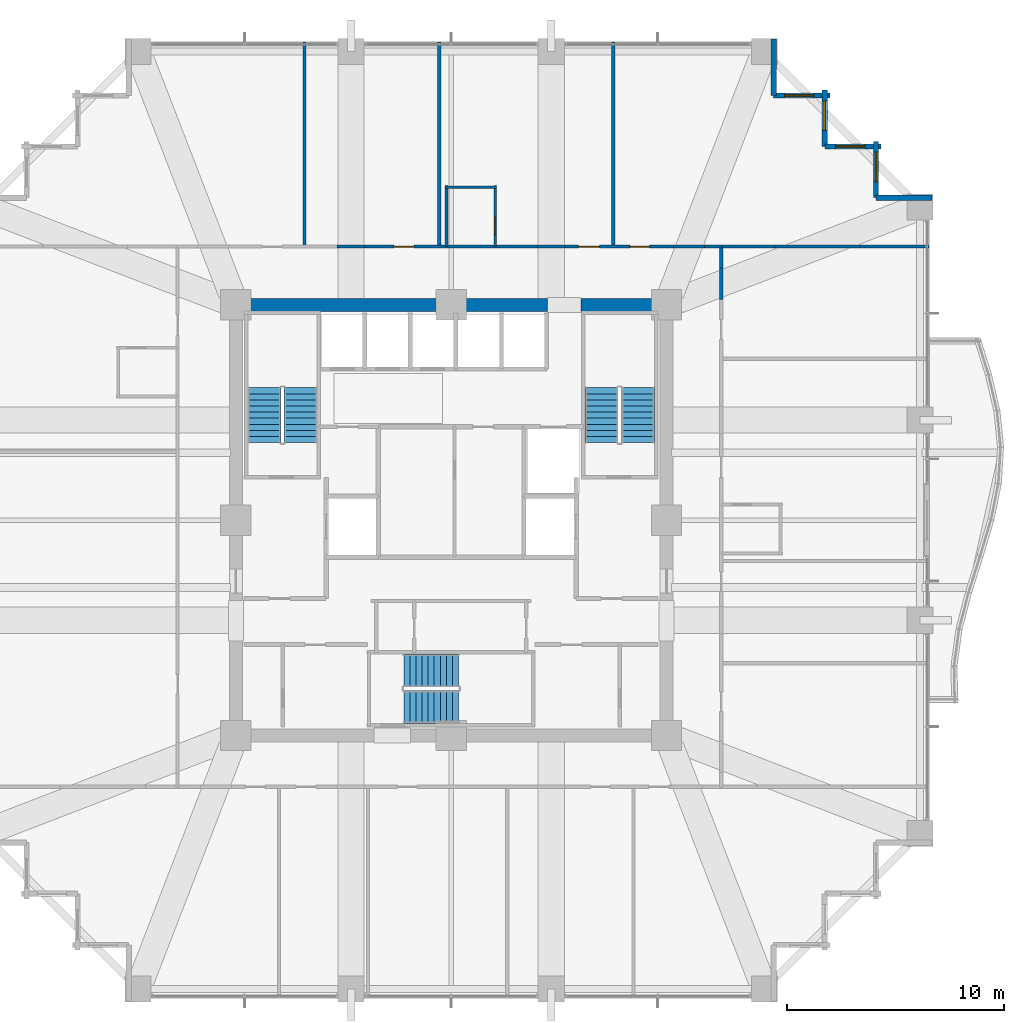
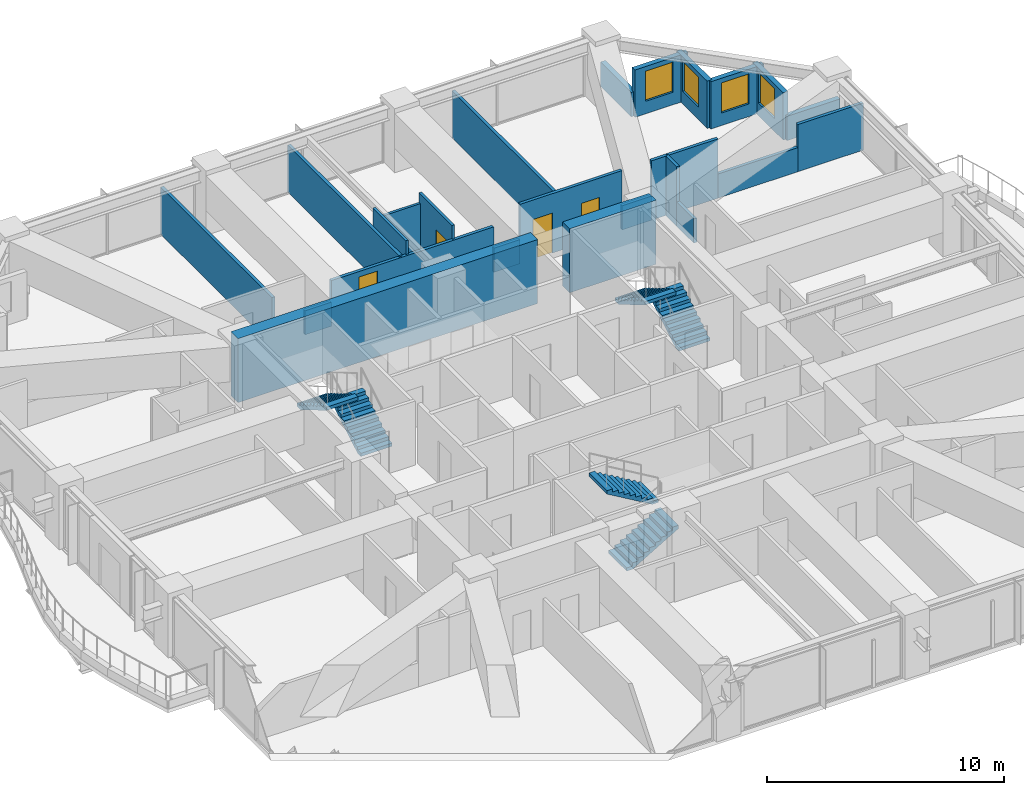
# One storey, part 37 of 39: 25 walls, 6 stair flights, 4 doors, 4 windows, 8 openings, 3 elements without a shape of their own.
"""IFC4 building model written with IfcOpenShell, lengths in metres."""

from ifc_helpers import new_model, si_unit, direction, frame, frame_2d, origin, place, context, subcontext, project, spatial, polyline, rectangle, outline, extrude, material, layer, layer_set, type_object, element, fill, aggregate, save


model = new_model("IFC4")

# Units and contexts
model_context = context("Model", 3, precision=1e-05, world=origin(), true_north=direction((0.0, 1.0)))
body_context = subcontext(model_context, "Body", "Model", "MODEL_VIEW")
ifc_project = project(units=[si_unit("LENGTHUNIT", "METRE"), si_unit("AREAUNIT", "SQUARE_METRE"), si_unit("VOLUMEUNIT", "CUBIC_METRE"), si_unit("PLANEANGLEUNIT", "RADIAN"), si_unit("MASSUNIT", "GRAM", prefix="KILO")], contexts=[model_context])

# Site, building, storey
site_placement = place(None, origin())
site = spatial("IfcSite", under=ifc_project, at=site_placement, CompositionType="ELEMENT")
building_placement = place(site_placement, origin())
building = spatial("IfcBuilding", under=site, at=building_placement, Name="Kolvaren Belvedere", CompositionType="ELEMENT")
storey_placement = place(building_placement, frame((0.0, 0.0, 40.300048828125)))
storey = spatial("IfcBuildingStorey", under=building, at=storey_placement, Name="L11", CompositionType="ELEMENT", Elevation=40.300048828125)

# Walls
ifc_material_1 = material(Name="Concrete C60/75", Category="concrete")
ifc_layer_1 = layer(ifc_material_1, 0.60009765625)
ifc_layer_set_1 = layer_set([ifc_layer_1], Name="Concrete C60/75")
wall_type_1 = type_object("IfcWallType", Name="CW-CORE-600", PredefinedType="SHEAR", material=ifc_layer_set_1)
wall_1_placement = place(storey_placement, frame((-10.199951171875, 9.89990234375, 0.0), z_axis=(0.0, 0.0, 1.0), x_axis=(1.0, 0.0, 0.0)))
element("IfcWall", 1, at=wall_1_placement, inside=storey, type_object=wall_type_1, Name="L11 North Core Shear Wall 1", PredefinedType="SHEAR", context=body_context, shape_type="SweptSolid", body=[
    extrude(rectangle(XDim=14.619873046875, YDim=0.60009765625, at=frame_2d((7.31005859375, 0.0))), origin(), (0.0, 0.0, 1.0), 3.300048828125),
])
wall_2_placement = place(storey_placement, frame((5.97998046875, 9.89990234375, 0.0), z_axis=(0.0, 0.0, 1.0), x_axis=(1.0, 0.0, 0.0)))
element("IfcWall", 2, at=wall_2_placement, inside=storey, type_object=wall_type_1, Name="L11 North Core Shear Wall 2", PredefinedType="SHEAR", context=body_context, shape_type="SweptSolid", body=[
    extrude(rectangle(XDim=4.219970703125, YDim=0.60009765625, at=frame_2d((2.10986328125, 0.0))), origin(), (0.0, 0.0, 1.0), 3.300048828125),
])
ifc_material_2 = material(Name="Gypsum fire-rated partition assembly", Category="gypsum")
ifc_layer_2 = layer(ifc_material_2, 0.14990234375)
ifc_layer_set_2 = layer_set([ifc_layer_2], Name="Gypsum fire-rated partition assembly")
wall_type_2 = type_object("IfcWallType", Name="WL-CORR-150", PredefinedType="PARTITIONING", material=ifc_layer_set_2)
wall_3_placement = place(storey_placement, frame((-5.241943359375, 12.580078125, 0.0), z_axis=(0.0, 0.0, 1.0), x_axis=(1.0, 0.0, 0.0)))
element("IfcWall", 3, at=wall_3_placement, inside=storey, type_object=wall_type_2, Name="L11 North Corridor Wall", PredefinedType="PARTITIONING", context=body_context, shape_type="SweptSolid", body=[
    extrude(rectangle(XDim=1.283935546875, YDim=0.14990234375, at=frame_2d((0.64208984375, 0.0))), origin(), (0.0, 0.0, 1.0), 1.244873046875),
])

# Wall, opening, door
wall_4_placement = place(storey_placement, frame((-3.9580078125, 12.580078125, 0.0), z_axis=(0.0, 0.0, 1.0), x_axis=(1.0, 0.0, 0.0)))
wall_4 = element("IfcWall", 4, at=wall_4_placement, inside=storey, type_object=wall_type_2, Name="L11 North Corridor Wall", PredefinedType="PARTITIONING", context=body_context, shape_type="SweptSolid", body=[
    extrude(rectangle(XDim=7.916015625, YDim=0.14990234375, at=frame_2d((3.9580078125, 0.0))), origin(), (0.0, 0.0, 1.0), 2.348876953125),
])
opening_1_placement = place(wall_4_placement, frame((1.337890625, 0.0, 0.0)))
opening_1 = element("IfcOpeningElement", 5, at=opening_1_placement, cuts=wall_4, Name="Opening D-INT90", PredefinedType="OPENING", context=body_context, shape_type="SweptSolid", body=[
    extrude(rectangle(XDim=0.89990234375, YDim=2.06005859375, at=frame_2d((0.449951171875, 1.030029296875))), frame((0.0, 0.0849609375, 0.0), z_axis=(0.0, -1.0, 0.0), x_axis=(1.0, 0.0, 0.0)), (0.0, 0.0, 1.0), 0.169921875),
])
ifc_material_3 = material(Name="Stained Pacific white oak", Category="timber")
door_type_1 = type_object("IfcDoorType", Name="DR-INT-900", OperationType="NOTDEFINED", PredefinedType="DOOR", material=ifc_material_3)
door_1_placement = place(opening_1_placement, origin())
door_1 = element("IfcDoor", 6, at=door_1_placement, inside=storey, type_object=door_type_1, Name="L11 Lounge 1113 Door", OperationType="SINGLE_SWING_LEFT", OverallHeight=2.06005859375, OverallWidth=0.89990234375, PredefinedType="DOOR", context=body_context, shape_type="SweptSolid", body=[
    extrude(rectangle(XDim=0.89990234375, YDim=2.06005859375, at=frame_2d((0.449951171875, 1.030029296875))), frame((0.0, 0.02490234375, 0.0), z_axis=(0.0, -1.0, 0.0), x_axis=(1.0, 0.0, 0.0)), (0.0, 0.0, 1.0), 0.050048828125),
])
fill(opening_1, door_1)

# Wall
wall_5_placement = place(storey_placement, frame((3.9580078125, 12.580078125, 0.0), z_axis=(0.0, 0.0, 1.0), x_axis=(1.0, 0.0, 0.0)))
element("IfcWall", 7, at=wall_5_placement, inside=storey, type_object=wall_type_2, Name="L11 North Corridor Wall", PredefinedType="PARTITIONING", context=body_context, shape_type="SweptSolid", body=[
    extrude(rectangle(XDim=1.283935546875, YDim=0.14990234375, at=frame_2d((0.64208984375, 0.0))), origin(), (0.0, 0.0, 1.0), 1.244873046875),
])

# Wall, openings, doors
wall_6_placement = place(storey_placement, frame((5.241943359375, 12.580078125, 0.0), z_axis=(0.0, 0.0, 1.0), x_axis=(1.0, 0.0, 0.0)))
wall_6 = element("IfcWall", 8, at=wall_6_placement, inside=storey, type_object=wall_type_2, Name="L11 North Corridor Wall", PredefinedType="PARTITIONING", context=body_context, shape_type="SweptSolid", body=[
    extrude(rectangle(XDim=4.9736328125, YDim=0.14990234375, at=frame_2d((2.48681640625, 0.0))), origin(), (0.0, 0.0, 1.0), 3.06005859375),
])
opening_2_placement = place(wall_6_placement, frame((0.618896484375, 0.0, 0.0)))
opening_2 = element("IfcOpeningElement", 9, at=opening_2_placement, cuts=wall_6, Name="Opening D-FD60", PredefinedType="OPENING", context=body_context, shape_type="SweptSolid", body=[
    extrude(rectangle(XDim=0.949951171875, YDim=2.06005859375, at=frame_2d((0.47509765625, 1.030029296875))), frame((0.0, 0.0849609375, 0.0), z_axis=(0.0, -1.0, 0.0), x_axis=(1.0, 0.0, 0.0)), (0.0, 0.0, 1.0), 0.169921875),
])
opening_3_placement = place(wall_6_placement, frame((2.97900390625, 0.0, 0.0)))
opening_3 = element("IfcOpeningElement", 10, at=opening_3_placement, cuts=wall_6, Name="Opening D-INT90", PredefinedType="OPENING", context=body_context, shape_type="SweptSolid", body=[
    extrude(rectangle(XDim=0.89990234375, YDim=2.06005859375, at=frame_2d((0.449951171875, 1.030029296875))), frame((0.0, 0.0849609375, 0.0), z_axis=(0.0, -1.0, 0.0), x_axis=(1.0, 0.0, 0.0)), (0.0, 0.0, 1.0), 0.169921875),
])
ifc_material_4 = material(Name="Acoustic white-oak fire door leaf", Category="timber")
door_type_2 = type_object("IfcDoorType", Name="DR-FD60-950", OperationType="NOTDEFINED", PredefinedType="DOOR", material=ifc_material_4)
door_2_placement = place(opening_2_placement, origin())
door_2 = element("IfcDoor", 11, at=door_2_placement, inside=storey, type_object=door_type_2, Name="L11 King Guest Room 1114 Entry Door", OperationType="SINGLE_SWING_LEFT", OverallHeight=2.06005859375, OverallWidth=0.949951171875, PredefinedType="DOOR", context=body_context, shape_type="SweptSolid", body=[
    extrude(rectangle(XDim=0.949951171875, YDim=2.06005859375, at=frame_2d((0.47509765625, 1.030029296875))), frame((0.0, 0.02490234375, 0.0), z_axis=(0.0, -1.0, 0.0), x_axis=(1.0, 0.0, 0.0)), (0.0, 0.0, 1.0), 0.050048828125),
])
fill(opening_2, door_2)
door_3_placement = place(opening_3_placement, origin())
door_3 = element("IfcDoor", 12, at=door_3_placement, inside=storey, type_object=door_type_1, Name="L11 Lounge 1115 Door", OperationType="SINGLE_SWING_RIGHT", OverallHeight=2.06005859375, OverallWidth=0.89990234375, PredefinedType="DOOR", context=body_context, shape_type="SweptSolid", body=[
    extrude(rectangle(XDim=0.89990234375, YDim=2.06005859375, at=frame_2d((0.449951171875, 1.030029296875))), frame((0.0, 0.02490234375, 0.0), z_axis=(0.0, -1.0, 0.0), x_axis=(1.0, 0.0, 0.0)), (0.0, 0.0, 1.0), 0.050048828125),
])
fill(opening_3, door_3)

# Walls
wall_7_placement = place(storey_placement, frame((10.215576171875, 12.580078125, 0.0), z_axis=(0.0, 0.0, 1.0), x_axis=(1.0, 0.0, 0.0)))
element("IfcWall", 13, at=wall_7_placement, inside=storey, type_object=wall_type_2, Name="L11 North Corridor Wall", PredefinedType="PARTITIONING", context=body_context, shape_type="SweptSolid", body=[
    extrude(rectangle(XDim=1.439208984375, YDim=0.14990234375, at=frame_2d((0.7197265625, 0.0))), origin(), (0.0, 0.0, 1.0), 1.244873046875),
])
wall_8_placement = place(storey_placement, frame((11.65478515625, 12.580078125, 0.0), z_axis=(0.0, 0.0, 1.0), x_axis=(1.0, 0.0, 0.0)))
element("IfcWall", 14, at=wall_8_placement, inside=storey, type_object=wall_type_2, Name="L11 North Corridor Wall", PredefinedType="PARTITIONING", context=body_context, shape_type="SweptSolid", body=[
    extrude(rectangle(XDim=0.76513671875, YDim=0.14990234375, at=frame_2d((0.382568359375, 0.0))), origin(), (0.0, 0.0, 1.0), 3.06005859375),
])
wall_9_placement = place(storey_placement, frame((12.419921875, 10.15380859375, 0.0), z_axis=(0.0, 0.0, 1.0), x_axis=(0.0, 1.0, 0.0)))
element("IfcWall", 15, at=wall_9_placement, inside=storey, type_object=wall_type_2, Name="L11 East Corridor Wall", PredefinedType="PARTITIONING", context=body_context, shape_type="SweptSolid", body=[
    extrude(rectangle(XDim=1.439208984375, YDim=0.14990234375, at=frame_2d((0.7197265625, 0.0))), origin(), (0.0, 0.0, 1.0), 1.244873046875),
])
wall_10_placement = place(storey_placement, frame((12.419921875, 11.593017578125, 0.0), z_axis=(0.0, 0.0, 1.0), x_axis=(0.0, 1.0, 0.0)))
element("IfcWall", 16, at=wall_10_placement, inside=storey, type_object=wall_type_2, Name="L11 East Corridor Wall", PredefinedType="PARTITIONING", context=body_context, shape_type="SweptSolid", body=[
    extrude(rectangle(XDim=0.987060546875, YDim=0.14990234375, at=frame_2d((0.49365234375, 0.0))), origin(), (0.0, 0.0, 1.0), 3.06005859375),
])
ifc_material_5 = material(Name="Insulated pale-metal facade wall assembly", Category="aluminium")
ifc_layer_3 = layer(ifc_material_5, 0.239990234375)
ifc_layer_set_3 = layer_set([ifc_layer_3], Name="Insulated pale-metal facade wall assembly")
wall_type_3 = type_object("IfcWallType", Name="WL-EXT-240", PredefinedType="STANDARD", material=ifc_layer_set_3)
wall_11_placement = place(storey_placement, frame((19.530029296875, 14.830078125, 0.0), z_axis=(0.0, 0.0, 1.0), x_axis=(1.0, 0.0, 0.0)))
element("IfcWall", 17, at=wall_11_placement, inside=storey, type_object=wall_type_3, Name="L11 Serrated Corner Facade Wall 9", PredefinedType="STANDARD", context=body_context, shape_type="SweptSolid", body=[
    extrude(rectangle(XDim=2.590087890625, YDim=0.239990234375, at=frame_2d((1.294921875, 0.0))), origin(), (0.0, 0.0, 1.0), 1.2548828125),
])

# Wall, opening, window
wall_12_placement = place(storey_placement, frame((19.530029296875, 17.419921875, 0.0), z_axis=(0.0, 0.0, 1.0), x_axis=(0.0, -1.0, 0.0)))
wall_12 = element("IfcWall", 18, at=wall_12_placement, inside=storey, type_object=wall_type_3, Name="L11 Serrated Corner Facade Wall 10", PredefinedType="STANDARD", context=body_context, shape_type="SweptSolid", body=[
    extrude(rectangle(XDim=2.58984375, YDim=0.239990234375, at=frame_2d((1.294921875, 0.0))), origin(), (0.0, 0.0, 1.0), 2.43896484375),
])
opening_4_placement = place(wall_12_placement, frame((0.5, 0.0, 0.64990234375)))
opening_4 = element("IfcOpeningElement", 19, at=opening_4_placement, cuts=wall_12, Name="Opening W-1350", PredefinedType="OPENING", context=body_context, shape_type="SweptSolid", body=[
    extrude(rectangle(XDim=1.35009765625, YDim=1.550048828125, at=frame_2d((0.675048828125, 0.77490234375))), frame((0.0, 0.1298828125, 0.0), z_axis=(0.0, -1.0, 0.0), x_axis=(1.0, 0.0, 0.0)), (0.0, 0.0, 1.0), 0.260009765625),
])
ifc_material_6 = material(Name="Low-iron triple insulated glass", Category="glass")
window_type = type_object("IfcWindowType", Name="WN-CORN-1350", PartitioningType="SINGLE_PANEL", PredefinedType="WINDOW", material=ifc_material_6)
window_1_placement = place(opening_4_placement, origin())
window_1 = element("IfcWindow", 20, at=window_1_placement, inside=storey, type_object=window_type, Name="L11 Serrated Corner Vision Window 10", OverallHeight=1.550048828125, OverallWidth=1.35009765625, PartitioningType="SINGLE_PANEL", PredefinedType="WINDOW", context=body_context, shape_type="SweptSolid", body=[
    extrude(rectangle(XDim=1.35009765625, YDim=1.550048828125, at=frame_2d((0.675048828125, 0.77490234375))), frame((0.0, 0.030029296875, 0.0), z_axis=(0.0, -1.0, 0.0), x_axis=(1.0, 0.0, 0.0)), (0.0, 0.0, 1.0), 0.06005859375),
])
fill(opening_4, window_1)

wall_13_placement = place(storey_placement, frame((17.179931640625, 17.179931640625, 0.0), z_axis=(0.0, 0.0, 1.0), x_axis=(1.0, 0.0, 0.0)))
wall_13 = element("IfcWall", 21, at=wall_13_placement, inside=storey, type_object=wall_type_3, Name="L11 Serrated Corner Facade Wall 11", PredefinedType="STANDARD", context=body_context, shape_type="SweptSolid", body=[
    extrude(rectangle(XDim=2.590087890625, YDim=0.239990234375, at=frame_2d((1.294921875, 0.0))), origin(), (0.0, 0.0, 1.0), 2.43896484375),
])
opening_5_placement = place(wall_13_placement, frame((0.5, 0.0, 0.64990234375)))
opening_5 = element("IfcOpeningElement", 22, at=opening_5_placement, cuts=wall_13, Name="Opening W-1350", PredefinedType="OPENING", context=body_context, shape_type="SweptSolid", body=[
    extrude(rectangle(XDim=1.35009765625, YDim=1.550048828125, at=frame_2d((0.675048828125, 0.77490234375))), frame((0.0, 0.1298828125, 0.0), z_axis=(0.0, -1.0, 0.0), x_axis=(1.0, 0.0, 0.0)), (0.0, 0.0, 1.0), 0.260009765625),
])
window_2_placement = place(opening_5_placement, origin())
window_2 = element("IfcWindow", 23, at=window_2_placement, inside=storey, type_object=window_type, Name="L11 Serrated Corner Vision Window 11", OverallHeight=1.550048828125, OverallWidth=1.35009765625, PartitioningType="SINGLE_PANEL", PredefinedType="WINDOW", context=body_context, shape_type="SweptSolid", body=[
    extrude(rectangle(XDim=1.35009765625, YDim=1.550048828125, at=frame_2d((0.675048828125, 0.77490234375))), frame((0.0, 0.030029296875, 0.0), z_axis=(0.0, -1.0, 0.0), x_axis=(1.0, 0.0, 0.0)), (0.0, 0.0, 1.0), 0.06005859375),
])
fill(opening_5, window_2)

wall_14_placement = place(storey_placement, frame((17.179931640625, 19.77001953125, 0.0), z_axis=(0.0, 0.0, 1.0), x_axis=(0.0, -1.0, 0.0)))
wall_14 = element("IfcWall", 24, at=wall_14_placement, inside=storey, type_object=wall_type_3, Name="L11 Serrated Corner Facade Wall 12", PredefinedType="STANDARD", context=body_context, shape_type="SweptSolid", body=[
    extrude(rectangle(XDim=2.590087890625, YDim=0.239990234375, at=frame_2d((1.294921875, 0.0))), origin(), (0.0, 0.0, 1.0), 2.43896484375),
])
opening_6_placement = place(wall_14_placement, frame((0.5, 0.0, 0.64990234375)))
opening_6 = element("IfcOpeningElement", 25, at=opening_6_placement, cuts=wall_14, Name="Opening W-1350", PredefinedType="OPENING", context=body_context, shape_type="SweptSolid", body=[
    extrude(rectangle(XDim=1.35009765625, YDim=1.550048828125, at=frame_2d((0.675048828125, 0.77490234375))), frame((0.0, 0.1298828125, 0.0), z_axis=(0.0, -1.0, 0.0), x_axis=(1.0, 0.0, 0.0)), (0.0, 0.0, 1.0), 0.260009765625),
])
window_3_placement = place(opening_6_placement, origin())
window_3 = element("IfcWindow", 26, at=window_3_placement, inside=storey, type_object=window_type, Name="L11 Serrated Corner Vision Window 12", OverallHeight=1.550048828125, OverallWidth=1.35009765625, PartitioningType="SINGLE_PANEL", PredefinedType="WINDOW", context=body_context, shape_type="SweptSolid", body=[
    extrude(rectangle(XDim=1.35009765625, YDim=1.550048828125, at=frame_2d((0.675048828125, 0.77490234375))), frame((0.0, 0.030029296875, 0.0), z_axis=(0.0, -1.0, 0.0), x_axis=(1.0, 0.0, 0.0)), (0.0, 0.0, 1.0), 0.06005859375),
])
fill(opening_6, window_3)

wall_15_placement = place(storey_placement, frame((14.830078125, 19.530029296875, 0.0), z_axis=(0.0, 0.0, 1.0), x_axis=(1.0, 0.0, 0.0)))
wall_15 = element("IfcWall", 27, at=wall_15_placement, inside=storey, type_object=wall_type_3, Name="L11 Serrated Corner Facade Wall 13", PredefinedType="STANDARD", context=body_context, shape_type="SweptSolid", body=[
    extrude(rectangle(XDim=2.58984375, YDim=0.239990234375, at=frame_2d((1.294921875, 0.0))), origin(), (0.0, 0.0, 1.0), 2.43896484375),
])
opening_7_placement = place(wall_15_placement, frame((0.5, 0.0, 0.64990234375)))
opening_7 = element("IfcOpeningElement", 28, at=opening_7_placement, cuts=wall_15, Name="Opening W-1350", PredefinedType="OPENING", context=body_context, shape_type="SweptSolid", body=[
    extrude(rectangle(XDim=1.35009765625, YDim=1.550048828125, at=frame_2d((0.675048828125, 0.77490234375))), frame((0.0, 0.1298828125, 0.0), z_axis=(0.0, -1.0, 0.0), x_axis=(1.0, 0.0, 0.0)), (0.0, 0.0, 1.0), 0.260009765625),
])
window_4_placement = place(opening_7_placement, origin())
window_4 = element("IfcWindow", 29, at=window_4_placement, inside=storey, type_object=window_type, Name="L11 Serrated Corner Vision Window 13", OverallHeight=1.550048828125, OverallWidth=1.35009765625, PartitioningType="SINGLE_PANEL", PredefinedType="WINDOW", context=body_context, shape_type="SweptSolid", body=[
    extrude(rectangle(XDim=1.35009765625, YDim=1.550048828125, at=frame_2d((0.675048828125, 0.77490234375))), frame((0.0, 0.030029296875, 0.0), z_axis=(0.0, -1.0, 0.0), x_axis=(1.0, 0.0, 0.0)), (0.0, 0.0, 1.0), 0.06005859375),
])
fill(opening_7, window_4)

# Walls
wall_16_placement = place(storey_placement, frame((14.830078125, 22.1201171875, 0.0), z_axis=(0.0, 0.0, 1.0), x_axis=(0.0, -1.0, 0.0)))
element("IfcWall", 30, at=wall_16_placement, inside=storey, type_object=wall_type_3, Name="L11 Serrated Corner Facade Wall 14", PredefinedType="STANDARD", context=body_context, shape_type="SweptSolid", body=[
    extrude(rectangle(XDim=2.590087890625, YDim=0.239990234375, at=frame_2d((1.294921875, 0.0))), origin(), (0.0, 0.0, 1.0), 1.2548828125),
])
ifc_material_7 = material(Name="Gypsum acoustic partition assembly", Category="gypsum")
ifc_layer_4 = layer(ifc_material_7, 0.14990234375)
ifc_layer_set_4 = layer_set([ifc_layer_4], Name="Gypsum acoustic partition assembly")
wall_type_4 = type_object("IfcWallType", Name="WL-PART-150", PredefinedType="PARTITIONING", material=ifc_layer_set_4)
wall_17_placement = place(storey_placement, frame((12.419921875, 12.580078125, 0.0), z_axis=(0.0, 0.0, 1.0), x_axis=(1.0, 0.0, 0.0)))
element("IfcWall", 31, at=wall_17_placement, inside=storey, type_object=wall_type_4, Name="L11 Wing Divider PW-L11-QNE", PredefinedType="PARTITIONING", context=body_context, shape_type="SweptSolid", body=[
    extrude(rectangle(XDim=2.464599609375, YDim=0.14990234375, at=frame_2d((1.232421875, 0.0))), origin(), (0.0, 0.0, 1.0), 3.06005859375),
])
wall_18_placement = place(storey_placement, frame((14.884521484375, 12.580078125, 0.0), z_axis=(0.0, 0.0, 1.0), x_axis=(1.0, 0.0, 0.0)))
element("IfcWall", 32, at=wall_18_placement, inside=storey, type_object=wall_type_4, Name="L11 Wing Divider PW-L11-QNE", PredefinedType="PARTITIONING", context=body_context, shape_type="SweptSolid", body=[
    extrude(rectangle(XDim=3.907470703125, YDim=0.14990234375, at=frame_2d((1.95361328125, 0.0))), origin(), (0.0, 0.0, 1.0), 1.244873046875),
])
wall_19_placement = place(storey_placement, frame((18.7919921875, 12.580078125, 0.0), z_axis=(0.0, 0.0, 1.0), x_axis=(1.0, 0.0, 0.0)))
element("IfcWall", 33, at=wall_19_placement, inside=storey, type_object=wall_type_4, Name="L11 Wing Divider PW-L11-QNE", PredefinedType="PARTITIONING", context=body_context, shape_type="SweptSolid", body=[
    extrude(rectangle(XDim=3.18798828125, YDim=0.14990234375, at=frame_2d((1.593994140625, 0.0))), origin(), (0.0, 0.0, 1.0), 2.428955078125),
])
for number, where, z_axis, x_axis, name in (
    (34, (-6.748046875, 12.580078125, 0.0), (0.0, 0.0, 1.0), (0.0, 1.0, 0.0), "L11 North Suite Demising Wall 1"),
    (35, (-0.548095703125, 12.580078125, 0.0), (0.0, 0.0, 1.0), (0.0, 1.0, 0.0), "L11 North Suite Demising Wall 2"),
    (36, (7.451904296875, 12.580078125, 0.0), (0.0, 0.0, 1.0), (0.0, 1.0, 0.0), "L11 North Suite Demising Wall 3"),
):
    element("IfcWall", number, at=place(storey_placement, frame(where, z_axis=z_axis, x_axis=x_axis)), inside=storey, type_object=wall_type_4, Name=name, PredefinedType="PARTITIONING", context=body_context, shape_type="SweptSolid", body=[
        extrude(rectangle(XDim=9.39990234375, YDim=0.14990234375, at=frame_2d((4.699951171875, 0.0))), origin(), (0.0, 0.0, 1.0), 2.428955078125),
    ])

# Wall, opening, door
ifc_material_8 = material(Name="Moisture-resistant gypsum partition", Category="gypsum")
ifc_layer_5 = layer(ifc_material_8, 0.125)
ifc_layer_set_5 = layer_set([ifc_layer_5], Name="Moisture-resistant gypsum partition")
wall_type_5 = type_object("IfcWallType", Name="WL-WET-125", PredefinedType="PARTITIONING", material=ifc_layer_set_5)
wall_20_placement = place(storey_placement, frame((2.030029296875, 12.594970703125, 0.0), z_axis=(0.0, 0.0, 1.0), x_axis=(0.0, 1.0, 0.0)))
wall_20 = element("IfcWall", 37, at=wall_20_placement, inside=storey, type_object=wall_type_5, Name="L11 Bathroom Partition PW-L11-BTH-14-E", PredefinedType="PARTITIONING", context=body_context, shape_type="SweptSolid", body=[
    extrude(rectangle(XDim=2.7900390625, YDim=0.125, at=frame_2d((1.39501953125, 0.0))), origin(), (0.0, 0.0, 1.0), 3.06005859375),
])
opening_8_placement = place(wall_20_placement, frame((0.5, 0.0, 0.0)))
opening_8 = element("IfcOpeningElement", 38, at=opening_8_placement, cuts=wall_20, Name="Opening D-BTH85", PredefinedType="OPENING", context=body_context, shape_type="SweptSolid", body=[
    extrude(rectangle(XDim=0.85009765625, YDim=2.030029296875, at=frame_2d((0.425048828125, 1.01513671875))), frame((0.0, 0.072509765625, 0.0), z_axis=(0.0, -1.0, 0.0), x_axis=(1.0, 0.0, 0.0)), (0.0, 0.0, 1.0), 0.14501953125),
])
ifc_material_9 = material(Name="Moisture-sealed Pacific white oak", Category="timber")
door_type_3 = type_object("IfcDoorType", Name="DR-BATH-850", OperationType="NOTDEFINED", PredefinedType="DOOR", material=ifc_material_9)
door_4_placement = place(opening_8_placement, origin())
door_4 = element("IfcDoor", 39, at=door_4_placement, inside=storey, type_object=door_type_3, Name="L11 En-Suite Bathroom 1114 Door", OperationType="SINGLE_SWING_RIGHT", OverallHeight=2.030029296875, OverallWidth=0.85009765625, PredefinedType="DOOR", context=body_context, shape_type="SweptSolid", body=[
    extrude(rectangle(XDim=0.85009765625, YDim=2.030029296875, at=frame_2d((0.425048828125, 1.01513671875))), frame((0.0, 0.02490234375, 0.0), z_axis=(0.0, -1.0, 0.0), x_axis=(1.0, 0.0, 0.0)), (0.0, 0.0, 1.0), 0.050048828125),
])
fill(opening_8, door_4)

# Walls
wall_21_placement = place(storey_placement, frame((-0.280029296875, 15.304931640625, 0.0), z_axis=(0.0, 0.0, 1.0), x_axis=(1.0, 0.0, 0.0)))
element("IfcWall", 40, at=wall_21_placement, inside=storey, type_object=wall_type_5, Name="L11 Bathroom Partition PW-L11-BTH-14-H", PredefinedType="PARTITIONING", context=body_context, shape_type="SweptSolid", body=[
    extrude(rectangle(XDim=2.3701171875, YDim=0.125, at=frame_2d((1.18505859375, 0.0))), origin(), (0.0, 0.0, 1.0), 2.5849609375),
])
wall_22_placement = place(storey_placement, frame((-0.219970703125, 12.594970703125, 0.0), z_axis=(0.0, 0.0, 1.0), x_axis=(0.0, 1.0, 0.0)))
element("IfcWall", 41, at=wall_22_placement, inside=storey, type_object=wall_type_5, Name="L11 Bathroom Partition PW-L11-BTH-14-W", PredefinedType="PARTITIONING", context=body_context, shape_type="SweptSolid", body=[
    extrude(rectangle(XDim=2.7900390625, YDim=0.125, at=frame_2d((1.39501953125, 0.0))), origin(), (0.0, 0.0, 1.0), 3.06005859375),
])

# Stair, stair flights
ifc_material_10 = material(Name="Concrete C50/60", Category="concrete")
stair_type = type_object("IfcStairType", Name="ST-CORE-1520", PredefinedType="HALF_TURN_STAIR", material=ifc_material_10)
stair_1_placement = place(storey_placement, origin())
stair_1 = element("IfcStair", 42, at=stair_1_placement, inside=storey, type_object=stair_type, Name="L11 Protected Exit Stair ST-1", PredefinedType="HALF_TURN_STAIR")
ifc_material_11 = material(Name="Concrete C50/60", Category="concrete")
stair_flight_type = type_object("IfcStairFlightType", Name="SF-STR-1520", PredefinedType="STRAIGHT", material=ifc_material_11)
stair_flight_1_placement = place(storey_placement, frame((-6.919921875, 3.570068359375, 0.0), z_axis=(0.0, 0.0, 1.0), x_axis=(0.0, 1.0, 0.0)))
stair_flight_1 = element("IfcStairFlight", 43, at=stair_flight_1_placement, type_object=stair_flight_type, Name="ST-1 flight 1", NumberOfRisers=10, NumberOfTreads=9, PredefinedType="STRAIGHT", RiserHeight=0.165, TreadLength=0.28, context=body_context, shape_type="SweptSolid", body=[
    extrude(outline(polyline([(0.0, 0.0), (0.0, 0.1650390625), (0.280029296875, 0.1650390625), (0.280029296875, 0.330078125), (0.56005859375, 0.330078125), (0.56005859375, 0.4951171875), (0.840087890625, 0.4951171875), (0.840087890625, 0.659912109375), (1.1201171875, 0.659912109375), (1.1201171875, 0.824951171875), (1.39990234375, 0.824951171875), (1.39990234375, 0.989990234375), (1.679931640625, 0.989990234375), (1.679931640625, 1.155029296875), (1.9599609375, 1.155029296875), (1.9599609375, 1.320068359375), (2.239990234375, 1.320068359375), (2.239990234375, 1.485107421875), (2.52001953125, 1.485107421875), (2.52001953125, 1.64990234375), (2.52001953125, 1.31103515625), (0.295166015625, 0.0), (0.0, 0.0)])), frame((0.0, 0.760009765625, 0.0), z_axis=(0.0, -1.0, 0.0), x_axis=(1.0, 0.0, 0.0)), (0.0, 0.0, 1.0), 1.52001953125),
])
stair_flight_2_placement = place(storey_placement, frame((-8.590087890625, 6.090087890625, 1.64990234375), z_axis=(0.0, 0.0, 1.0), x_axis=(0.0, -1.0, 0.0)))
stair_flight_2 = element("IfcStairFlight", 44, at=stair_flight_2_placement, type_object=stair_flight_type, Name="ST-1 flight 2", NumberOfRisers=10, NumberOfTreads=9, PredefinedType="STRAIGHT", RiserHeight=0.165, TreadLength=0.28, context=body_context, shape_type="SweptSolid", body=[
    extrude(outline(polyline([(0.0, 0.0), (0.0, 0.1650390625), (0.280029296875, 0.1650390625), (0.280029296875, 0.330078125), (0.56005859375, 0.330078125), (0.56005859375, 0.4951171875), (0.840087890625, 0.4951171875), (0.840087890625, 0.659912109375), (1.1201171875, 0.659912109375), (1.1201171875, 0.824951171875), (1.39990234375, 0.824951171875), (1.39990234375, 0.989990234375), (1.679931640625, 0.989990234375), (1.679931640625, 1.155029296875), (1.9599609375, 1.155029296875), (1.9599609375, 1.320068359375), (2.239990234375, 1.320068359375), (2.239990234375, 1.485107421875), (2.52001953125, 1.485107421875), (2.52001953125, 1.64990234375), (2.52001953125, 1.31103515625), (0.295166015625, 0.0), (0.0, 0.0)])), frame((0.0, 0.760009765625, 0.0), z_axis=(0.0, -1.0, 0.0), x_axis=(1.0, 0.0, 0.0)), (0.0, 0.0, 1.0), 1.52001953125),
])
aggregate(stair_1, [stair_flight_1, stair_flight_2])

stair_2_placement = place(storey_placement, origin())
stair_2 = element("IfcStair", 45, at=stair_2_placement, inside=storey, type_object=stair_type, Name="L11 Protected Exit Stair ST-2", PredefinedType="HALF_TURN_STAIR")
stair_flight_3_placement = place(storey_placement, frame((8.590087890625, 3.570068359375, 0.0), z_axis=(0.0, 0.0, 1.0), x_axis=(0.0, 1.0, 0.0)))
stair_flight_3 = element("IfcStairFlight", 46, at=stair_flight_3_placement, type_object=stair_flight_type, Name="ST-2 flight 1", NumberOfRisers=10, NumberOfTreads=9, PredefinedType="STRAIGHT", RiserHeight=0.165, TreadLength=0.28, context=body_context, shape_type="SweptSolid", body=[
    extrude(outline(polyline([(0.0, 0.0), (0.0, 0.1650390625), (0.280029296875, 0.1650390625), (0.280029296875, 0.330078125), (0.56005859375, 0.330078125), (0.56005859375, 0.4951171875), (0.840087890625, 0.4951171875), (0.840087890625, 0.659912109375), (1.1201171875, 0.659912109375), (1.1201171875, 0.824951171875), (1.39990234375, 0.824951171875), (1.39990234375, 0.989990234375), (1.679931640625, 0.989990234375), (1.679931640625, 1.155029296875), (1.9599609375, 1.155029296875), (1.9599609375, 1.320068359375), (2.239990234375, 1.320068359375), (2.239990234375, 1.485107421875), (2.52001953125, 1.485107421875), (2.52001953125, 1.64990234375), (2.52001953125, 1.31103515625), (0.295166015625, 0.0), (0.0, 0.0)])), frame((0.0, 0.760009765625, 0.0), z_axis=(0.0, -1.0, 0.0), x_axis=(1.0, 0.0, 0.0)), (0.0, 0.0, 1.0), 1.52001953125),
])
stair_flight_4_placement = place(storey_placement, frame((6.919921875, 6.090087890625, 1.64990234375), z_axis=(0.0, 0.0, 1.0), x_axis=(0.0, -1.0, 0.0)))
stair_flight_4 = element("IfcStairFlight", 47, at=stair_flight_4_placement, type_object=stair_flight_type, Name="ST-2 flight 2", NumberOfRisers=10, NumberOfTreads=9, PredefinedType="STRAIGHT", RiserHeight=0.165, TreadLength=0.28, context=body_context, shape_type="SweptSolid", body=[
    extrude(outline(polyline([(0.0, 0.0), (0.0, 0.1650390625), (0.280029296875, 0.1650390625), (0.280029296875, 0.330078125), (0.56005859375, 0.330078125), (0.56005859375, 0.4951171875), (0.840087890625, 0.4951171875), (0.840087890625, 0.659912109375), (1.1201171875, 0.659912109375), (1.1201171875, 0.824951171875), (1.39990234375, 0.824951171875), (1.39990234375, 0.989990234375), (1.679931640625, 0.989990234375), (1.679931640625, 1.155029296875), (1.9599609375, 1.155029296875), (1.9599609375, 1.320068359375), (2.239990234375, 1.320068359375), (2.239990234375, 1.485107421875), (2.52001953125, 1.485107421875), (2.52001953125, 1.64990234375), (2.52001953125, 1.31103515625), (0.295166015625, 0.0), (0.0, 0.0)])), frame((0.0, 0.760009765625, 0.0), z_axis=(0.0, -1.0, 0.0), x_axis=(1.0, 0.0, 0.0)), (0.0, 0.0, 1.0), 1.52001953125),
])
aggregate(stair_2, [stair_flight_3, stair_flight_4])

stair_3_placement = place(storey_placement, origin())
stair_3 = element("IfcStair", 48, at=stair_3_placement, inside=storey, type_object=stair_type, Name="L11 Protected Exit Stair ST-3", PredefinedType="HALF_TURN_STAIR")
stair_flight_5_placement = place(storey_placement, frame((-2.179931640625, -8.590087890625, 0.0), z_axis=(0.0, 0.0, 1.0), x_axis=(1.0, 0.0, 0.0)))
stair_flight_5 = element("IfcStairFlight", 49, at=stair_flight_5_placement, type_object=stair_flight_type, Name="ST-3 flight 1", NumberOfRisers=10, NumberOfTreads=9, PredefinedType="STRAIGHT", RiserHeight=0.165, TreadLength=0.28, context=body_context, shape_type="SweptSolid", body=[
    extrude(outline(polyline([(0.0, 0.0), (0.0, 0.1650390625), (0.280029296875, 0.1650390625), (0.280029296875, 0.330078125), (0.56005859375, 0.330078125), (0.56005859375, 0.4951171875), (0.840087890625, 0.4951171875), (0.840087890625, 0.659912109375), (1.1201171875, 0.659912109375), (1.1201171875, 0.824951171875), (1.39990234375, 0.824951171875), (1.39990234375, 0.989990234375), (1.679931640625, 0.989990234375), (1.679931640625, 1.155029296875), (1.9599609375, 1.155029296875), (1.9599609375, 1.320068359375), (2.239990234375, 1.320068359375), (2.239990234375, 1.485107421875), (2.52001953125, 1.485107421875), (2.52001953125, 1.64990234375), (2.52001953125, 1.31103515625), (0.295166015625, 0.0), (0.0, 0.0)])), frame((0.0, 0.760009765625, 0.0), z_axis=(0.0, -1.0, 0.0), x_axis=(1.0, 0.0, 0.0)), (0.0, 0.0, 1.0), 1.52001953125),
])
stair_flight_6_placement = place(storey_placement, frame((0.340087890625, -6.919921875, 1.64990234375), z_axis=(0.0, 0.0, 1.0), x_axis=(-1.0, 0.0, 0.0)))
stair_flight_6 = element("IfcStairFlight", 50, at=stair_flight_6_placement, type_object=stair_flight_type, Name="ST-3 flight 2", NumberOfRisers=10, NumberOfTreads=9, PredefinedType="STRAIGHT", RiserHeight=0.165, TreadLength=0.28, context=body_context, shape_type="SweptSolid", body=[
    extrude(outline(polyline([(0.0, 0.0), (0.0, 0.1650390625), (0.280029296875, 0.1650390625), (0.280029296875, 0.330078125), (0.56005859375, 0.330078125), (0.56005859375, 0.4951171875), (0.840087890625, 0.4951171875), (0.840087890625, 0.659912109375), (1.1201171875, 0.659912109375), (1.1201171875, 0.824951171875), (1.39990234375, 0.824951171875), (1.39990234375, 0.989990234375), (1.679931640625, 0.989990234375), (1.679931640625, 1.155029296875), (1.9599609375, 1.155029296875), (1.9599609375, 1.320068359375), (2.239990234375, 1.320068359375), (2.239990234375, 1.485107421875), (2.52001953125, 1.485107421875), (2.52001953125, 1.64990234375), (2.52001953125, 1.31103515625), (0.295166015625, 0.0), (0.0, 0.0)])), frame((0.0, 0.760009765625, 0.0), z_axis=(0.0, -1.0, 0.0), x_axis=(1.0, 0.0, 0.0)), (0.0, 0.0, 1.0), 1.52001953125),
])
aggregate(stair_3, [stair_flight_5, stair_flight_6])

save(model, "model.ifc")
